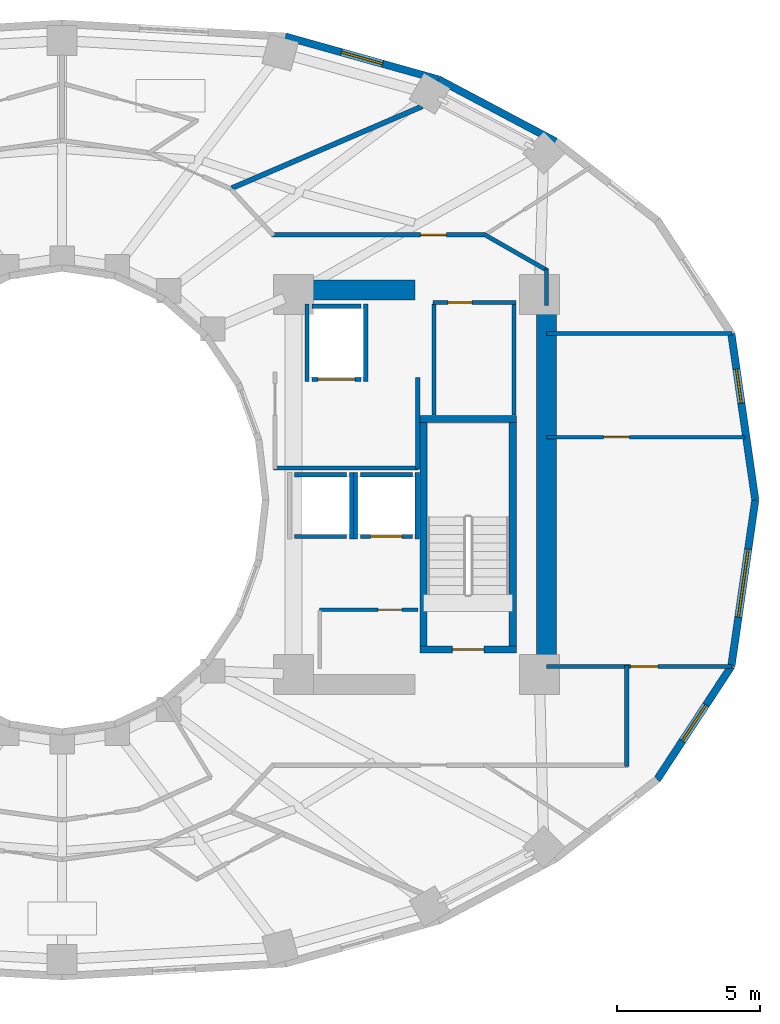
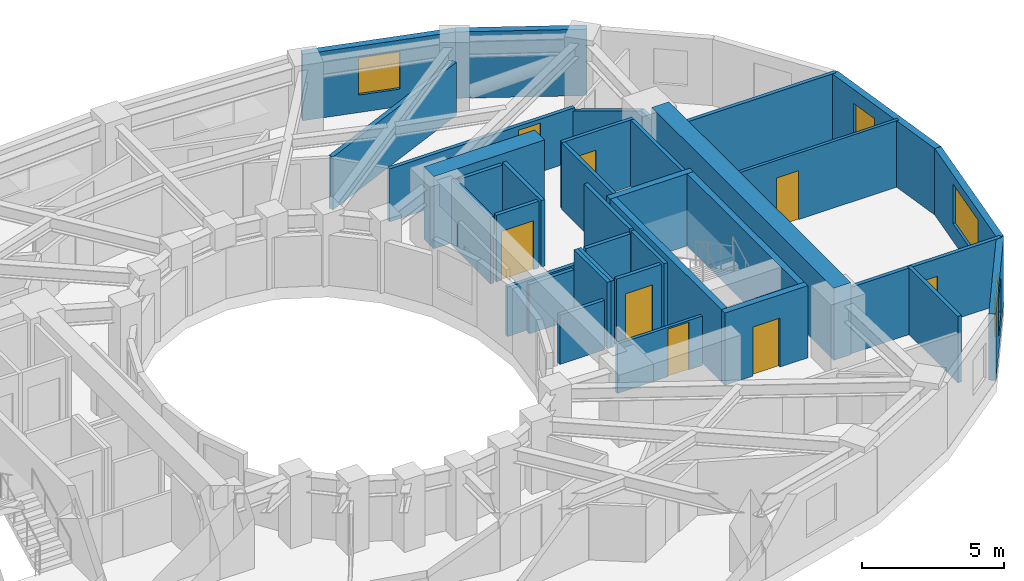
# One storey, part 6 of 9: 36 walls, 8 doors, 4 windows, 12 openings.
"""IFC4 building model written with IfcOpenShell, lengths in metres."""

from ifc_helpers import new_model, si_unit, direction, frame, frame_2d, origin, place, context, subcontext, project, spatial, rectangle, extrude, material, layer, layer_set, type_object, element, fill, save


model = new_model("IFC4")

# Units and contexts
model_context = context("Model", 3, precision=1e-05, world=origin(), true_north=direction((0.0, 1.0)))
body_context = subcontext(model_context, "Body", "Model", "MODEL_VIEW")
ifc_project = project(units=[si_unit("LENGTHUNIT", "METRE"), si_unit("AREAUNIT", "SQUARE_METRE"), si_unit("VOLUMEUNIT", "CUBIC_METRE"), si_unit("PLANEANGLEUNIT", "RADIAN"), si_unit("MASSUNIT", "GRAM", prefix="KILO")], contexts=[model_context])

# Site, building, storey
site_placement = place(None, origin())
site = spatial("IfcSite", under=ifc_project, at=site_placement, CompositionType="ELEMENT")
building_placement = place(site_placement, origin())
building = spatial("IfcBuilding", under=site, at=building_placement, Name="Solvane Sanctuary Tower", CompositionType="ELEMENT")
storey_placement = place(building_placement, frame((0.0, 0.0, 122.800048828125)))
storey = spatial("IfcBuildingStorey", under=building, at=storey_placement, Name="L37", CompositionType="ELEMENT", Elevation=122.800048828125)

# Walls
ifc_material_1 = material(Name="Concrete C60/75", Category="concrete")
ifc_layer_1 = layer(ifc_material_1, 0.699951171875, Name="Concrete C60/75")
ifc_layer_set_1 = layer_set([ifc_layer_1], Name="Concrete C60/75")
wall_type_1 = type_object("IfcWallType", Name="Wall W-CORE-700", PredefinedType="SHEAR", material=ifc_layer_set_1)
wall_1_placement = place(storey_placement, frame((48.949951171875, 17.050048828125, 0.0), z_axis=(0.0, 0.0, 1.0), x_axis=(0.0, 1.0, 0.0)))
element("IfcWall", 1, at=wall_1_placement, inside=storey, type_object=wall_type_1, Name="L37 Core Shear Wall EC-E", PredefinedType="SHEAR", context=body_context, shape_type="SweptSolid", body=[
    extrude(rectangle(XDim=12.800048828125, YDim=0.699951171875, at=frame_2d((6.39990234375, 0.0))), origin(), (0.0, 0.0, 1.0), 3.099853515625),
])
wall_2_placement = place(storey_placement, frame((39.85009765625, 30.35009765625, 0.0), z_axis=(0.0, 0.0, 1.0), x_axis=(1.0, 0.0, 0.0)))
element("IfcWall", 2, at=wall_2_placement, inside=storey, type_object=wall_type_1, Name="L37 Core Shear Wall EC-N", PredefinedType="SHEAR", context=body_context, shape_type="SweptSolid", body=[
    extrude(rectangle(XDim=4.5, YDim=0.699951171875, at=frame_2d((2.25, 0.0))), origin(), (0.0, 0.0, 1.0), 3.099853515625),
])
ifc_material_2 = material(Name="Acoustic Gypsum Partition Board")
ifc_layer_2 = layer(ifc_material_2, 0.14990234375, Name="Acoustic Gypsum Partition Board")
ifc_layer_set_2 = layer_set([ifc_layer_2], Name="Acoustic Gypsum Partition Board")
wall_type_2 = type_object("IfcWallType", Name="Wall W-CORR-150", PredefinedType="PARTITIONING", material=ifc_layer_set_2)
wall_3_placement = place(storey_placement, frame((39.39990234375, 24.1201171875, 0.0), z_axis=(0.0, 0.0, 1.0), x_axis=(1.0, 0.0, 0.0)))
element("IfcWall", 3, at=wall_3_placement, inside=storey, type_object=wall_type_2, Name="L37 East Firefighting Lobby South Wall", PredefinedType="PARTITIONING", context=body_context, shape_type="SweptSolid", body=[
    extrude(rectangle(XDim=5.080078125, YDim=0.14990234375, at=frame_2d((2.5400390625, 0.0))), origin(), (0.0, 0.0, 1.0), 2.119873046875),
])
wall_4_placement = place(storey_placement, frame((44.449951171875, 24.080078125, 0.0), z_axis=(0.0, 0.0, 1.0), x_axis=(0.0, 1.0, 0.0)))
element("IfcWall", 4, at=wall_4_placement, inside=storey, type_object=wall_type_2, Name="L37 East Firefighting Lobby East Wall", PredefinedType="PARTITIONING", context=body_context, shape_type="SweptSolid", body=[
    extrude(rectangle(XDim=3.199951171875, YDim=0.14990234375, at=frame_2d((1.60009765625, 0.0))), origin(), (0.0, 0.0, 1.0), 2.85498046875),
])

# Wall, opening, door
wall_5_placement = place(storey_placement, frame((48.949951171875, 17.1748046875, 0.0), z_axis=(0.0, 0.0, 1.0), x_axis=(1.0, 0.0, 0.0)))
wall_5 = element("IfcWall", 5, at=wall_5_placement, inside=storey, type_object=wall_type_2, Name="L37 East Shoulder South Wall", PredefinedType="PARTITIONING", context=body_context, shape_type="SweptSolid", body=[
    extrude(rectangle(XDim=6.49169921875, YDim=0.14990234375, at=frame_2d((3.245849609375, 0.0))), origin(), (0.0, 0.0, 1.0), 2.85498046875),
])
opening_1_placement = place(wall_5_placement, frame((2.947509765625, 0.0, 0.0)))
opening_1 = element("IfcOpeningElement", 6, at=opening_1_placement, cuts=wall_5, Name="Opening D-L37-10", PredefinedType="OPENING", context=body_context, shape_type="SweptSolid", body=[
    extrude(rectangle(XDim=0.949951171875, YDim=2.10009765625, at=frame_2d((0.47509765625, 1.050048828125))), frame((0.0, 0.0849609375, 0.0), z_axis=(0.0, -1.0, 0.0), x_axis=(1.0, 0.0, 0.0)), (0.0, 0.0, 1.0), 0.169921875),
])
ifc_material_3 = material(Name="Engineered Tropical Hardwood", Category="wood")
door_type_1 = type_object("IfcDoorType", Name="Door D-ROOM-950", OperationType="NOTDEFINED", PredefinedType="DOOR", material=ifc_material_3)
door_1_placement = place(opening_1_placement, origin())
door_1 = element("IfcDoor", 7, at=door_1_placement, inside=storey, type_object=door_type_1, Name="L37 East Shoulder South Door", OperationType="SINGLE_SWING_LEFT", OverallHeight=2.10009765625, OverallWidth=0.949951171875, PredefinedType="DOOR", context=body_context, shape_type="SweptSolid", body=[
    extrude(rectangle(XDim=0.949951171875, YDim=2.10009765625, at=frame_2d((0.47509765625, 1.050048828125))), frame((0.0, 0.02490234375, 0.0), z_axis=(0.0, -1.0, 0.0), x_axis=(1.0, 0.0, 0.0)), (0.0, 0.0, 1.0), 0.050048828125),
])
fill(opening_1, door_1)

# Walls
wall_6_placement = place(storey_placement, frame((48.949951171875, 28.8251953125, 0.0), z_axis=(0.0, 0.0, 1.0), x_axis=(1.0, 0.0, 0.0)))
element("IfcWall", 8, at=wall_6_placement, inside=storey, type_object=wall_type_2, Name="L37 East Shoulder North Wall", PredefinedType="PARTITIONING", context=body_context, shape_type="SweptSolid", body=[
    extrude(rectangle(XDim=6.49169921875, YDim=0.14990234375, at=frame_2d((3.245849609375, 0.0))), origin(), (0.0, 0.0, 1.0), 2.85498046875),
])
wall_7_placement = place(storey_placement, frame((48.949951171875, 29.800048828125, 0.0), z_axis=(0.0, 0.0, 1.0), x_axis=(0.0, 1.0, 0.0)))
element("IfcWall", 9, at=wall_7_placement, inside=storey, type_object=wall_type_2, Name="L37 NE Corner Closer 1", PredefinedType="PARTITIONING", context=body_context, shape_type="SweptSolid", body=[
    extrude(rectangle(XDim=1.2900390625, YDim=0.14990234375, at=frame_2d((0.64501953125, 0.0))), origin(), (0.0, 0.0, 1.0), 2.141845703125),
])

# Wall, opening, door
wall_8_placement = place(storey_placement, frame((39.330078125, 32.280029296875, 0.0), z_axis=(0.0, 0.0, 1.0), x_axis=(1.0, 0.0, 0.0)))
wall_8 = element("IfcWall", 10, at=wall_8_placement, inside=storey, type_object=wall_type_2, Name="L37 NE Corner Corridor Wall", PredefinedType="PARTITIONING", context=body_context, shape_type="SweptSolid", body=[
    extrude(rectangle(XDim=7.52001953125, YDim=0.14990234375, at=frame_2d((3.760009765625, 0.0))), origin(), (0.0, 0.0, 1.0), 2.27197265625),
])
opening_2_placement = place(wall_8_placement, frame((5.219970703125, 0.0, 0.0)))
opening_2 = element("IfcOpeningElement", 11, at=opening_2_placement, cuts=wall_8, Name="Opening D-L37-14", PredefinedType="OPENING", context=body_context, shape_type="SweptSolid", body=[
    extrude(rectangle(XDim=0.89990234375, YDim=2.10009765625, at=frame_2d((0.449951171875, 1.050048828125))), frame((0.0, 0.0849609375, 0.0), z_axis=(0.0, -1.0, 0.0), x_axis=(1.0, 0.0, 0.0)), (0.0, 0.0, 1.0), 0.169921875),
])
door_type_2 = type_object("IfcDoorType", Name="Door D-WET-900", OperationType="NOTDEFINED", PredefinedType="DOOR", material=ifc_material_3)
door_2_placement = place(opening_2_placement, origin())
door_2 = element("IfcDoor", 12, at=door_2_placement, inside=storey, type_object=door_type_2, Name="L37 NE Corner Salon Door", OperationType="SINGLE_SWING_LEFT", OverallHeight=2.10009765625, OverallWidth=0.89990234375, PredefinedType="DOOR", context=body_context, shape_type="SweptSolid", body=[
    extrude(rectangle(XDim=0.89990234375, YDim=2.10009765625, at=frame_2d((0.449951171875, 1.050048828125))), frame((0.0, 0.02490234375, 0.0), z_axis=(0.0, -1.0, 0.0), x_axis=(1.0, 0.0, 0.0)), (0.0, 0.0, 1.0), 0.050048828125),
])
fill(opening_2, door_2)

# Walls
wall_9_placement = place(storey_placement, frame((46.756591796875, 32.3046875, 0.0), z_axis=(0.0, 0.0, 1.0), x_axis=(0.867991349648, -0.496579315857, 0.0)))
element("IfcWall", 13, at=wall_9_placement, inside=storey, type_object=wall_type_2, Name="L37 NE Corner Wing Wall", PredefinedType="PARTITIONING", context=body_context, shape_type="SweptSolid", body=[
    extrude(rectangle(XDim=2.56689453125, YDim=0.14990234375, at=frame_2d((1.283447265625, 0.0))), origin(), (0.0, 0.0, 1.0), 2.141845703125),
])
wall_10_placement = place(storey_placement, frame((51.760009765625, 13.679931640625, 0.0), z_axis=(0.0, 0.0, 1.0), x_axis=(0.0, 1.0, 0.0)))
element("IfcWall", 14, at=wall_10_placement, inside=storey, type_object=wall_type_2, Name="L37 SE Corner Closer 1", PredefinedType="PARTITIONING", context=body_context, shape_type="SweptSolid", body=[
    extrude(rectangle(XDim=3.534912109375, YDim=0.14990234375, at=frame_2d((1.767578125, 0.0))), origin(), (0.0, 0.0, 1.0), 2.85498046875),
])

# Wall, opening, window
ifc_material_4 = material(Name="Precast concrete C40/50", Category="concrete")
ifc_layer_3 = layer(ifc_material_4, 0.260009765625, Name="Precast concrete C40/50")
ifc_layer_set_3 = layer_set([ifc_layer_3], Name="Precast concrete C40/50")
wall_type_3 = type_object("IfcWallType", Name="Wall W-EXT-250", PredefinedType="STANDARD", material=ifc_layer_set_3)
wall_11_placement = place(storey_placement, frame((56.260009765625, 23.0, 0.0), z_axis=(0.0, 0.0, 1.0), x_axis=(-0.142572472068, 0.98978436551, 0.0)))
wall_11 = element("IfcWall", 15, at=wall_11_placement, inside=storey, type_object=wall_type_3, Name="L37 Ceramic-Printed Facade Wall 00", PredefinedType="STANDARD", context=body_context, shape_type="SweptSolid", body=[
    extrude(rectangle(XDim=5.878662109375, YDim=0.260009765625, at=frame_2d((2.939453125, 0.0))), origin(), (0.0, 0.0, 1.0), 2.849853515625),
])
opening_3_placement = place(wall_11_placement, frame((3.42578125, 0.0, 0.75)))
opening_3 = element("IfcOpeningElement", 16, at=opening_3_placement, cuts=wall_11, Name="Opening WN-OPER-1200", PredefinedType="OPENING", context=body_context, shape_type="SweptSolid", body=[
    extrude(rectangle(XDim=1.199951171875, YDim=1.5, at=frame_2d((0.60009765625, 0.75))), frame((0.0, 0.139892578125, 0.0), z_axis=(0.0, -1.0, 0.0), x_axis=(1.0, 0.0, 0.0)), (0.0, 0.0, 1.0), 0.280029296875),
])
ifc_material_5 = material(Name="Dark Ceramic-Fritted Low-E Glass", Category="glass")
window_type_1 = type_object("IfcWindowType", Name="Window WN-OPER-1200", PartitioningType="SINGLE_PANEL", PredefinedType="WINDOW", material=ifc_material_5)
window_1_placement = place(opening_3_placement, origin())
window_1 = element("IfcWindow", 17, at=window_1_placement, inside=storey, type_object=window_type_1, Name="L37 Operable Facade Window 00", OverallHeight=1.5, OverallWidth=1.199951171875, PartitioningType="SINGLE_PANEL", PredefinedType="WINDOW", context=body_context, shape_type="SweptSolid", body=[
    extrude(rectangle(XDim=1.199951171875, YDim=1.5, at=frame_2d((0.60009765625, 0.75))), frame((0.0, 0.030029296875, 0.0), z_axis=(0.0, -1.0, 0.0), x_axis=(1.0, 0.0, 0.0)), (0.0, 0.0, 1.0), 0.06005859375),
])
fill(opening_3, window_1)

# Wall
wall_12_placement = place(storey_placement, frame((49.265869140625, 35.55322265625, 0.0), z_axis=(0.0, 0.0, 1.0), x_axis=(-0.883668636807, 0.4681129568, 0.0)))
element("IfcWall", 18, at=wall_12_placement, inside=storey, type_object=wall_type_3, Name="L37 Ceramic-Printed Facade Wall 03", PredefinedType="STANDARD", context=body_context, shape_type="SweptSolid", body=[
    extrude(rectangle(XDim=4.63134765625, YDim=0.260009765625, at=frame_2d((2.315673828125, 0.0))), origin(), (0.0, 0.0, 1.0), 2.849853515625),
])

# Wall, opening, window
wall_13_placement = place(storey_placement, frame((45.17333984375, 37.72119140625, 0.0), z_axis=(0.0, 0.0, 1.0), x_axis=(-0.962938491413, 0.269721081407, 0.0)))
wall_13 = element("IfcWall", 19, at=wall_13_placement, inside=storey, type_object=wall_type_3, Name="L37 Ceramic-Printed Facade Wall 04", PredefinedType="STANDARD", context=body_context, shape_type="SweptSolid", body=[
    extrude(rectangle(XDim=5.563232421875, YDim=0.260009765625, at=frame_2d((2.78173828125, 0.0))), origin(), (0.0, 0.0, 1.0), 2.849853515625),
])
opening_4_placement = place(wall_13_placement, frame((2.031494140625, 0.0, 0.75)))
opening_4 = element("IfcOpeningElement", 20, at=opening_4_placement, cuts=wall_13, Name="Opening WN-OPER-1500", PredefinedType="OPENING", context=body_context, shape_type="SweptSolid", body=[
    extrude(rectangle(XDim=1.5, YDim=1.60009765625, at=frame_2d((0.75, 0.800048828125))), frame((0.0, 0.139892578125, 0.0), z_axis=(0.0, -1.0, 0.0), x_axis=(1.0, 0.0, 0.0)), (0.0, 0.0, 1.0), 0.280029296875),
])
window_type_2 = type_object("IfcWindowType", Name="Window WN-OPER-1500", PartitioningType="SINGLE_PANEL", PredefinedType="WINDOW", material=ifc_material_5)
window_2_placement = place(opening_4_placement, origin())
window_2 = element("IfcWindow", 21, at=window_2_placement, inside=storey, type_object=window_type_2, Name="L37 Operable Facade Window 04", OverallHeight=1.60009765625, OverallWidth=1.5, PartitioningType="SINGLE_PANEL", PredefinedType="WINDOW", context=body_context, shape_type="SweptSolid", body=[
    extrude(rectangle(XDim=1.5, YDim=1.60009765625, at=frame_2d((0.75, 0.800048828125))), frame((0.0, 0.030029296875, 0.0), z_axis=(0.0, -1.0, 0.0), x_axis=(1.0, 0.0, 0.0)), (0.0, 0.0, 1.0), 0.06005859375),
])
fill(opening_4, window_2)

wall_14_placement = place(storey_placement, frame((52.820556640625, 13.213623046875, 0.0), z_axis=(0.0, 0.0, 1.0), x_axis=(0.548283220945, 0.836292717672, 0.0)))
wall_14 = element("IfcWall", 22, at=wall_14_placement, inside=storey, type_object=wall_type_3, Name="L37 Ceramic-Printed Facade Wall 22", PredefinedType="STANDARD", context=body_context, shape_type="SweptSolid", body=[
    extrude(rectangle(XDim=4.744384765625, YDim=0.260009765625, at=frame_2d((2.3720703125, 0.0))), origin(), (0.0, 0.0, 1.0), 2.849853515625),
])
opening_5_placement = place(wall_14_placement, frame((1.622314453125, 0.0, 0.75)))
opening_5 = element("IfcOpeningElement", 23, at=opening_5_placement, cuts=wall_14, Name="Opening WN-OPER-1500", PredefinedType="OPENING", context=body_context, shape_type="SweptSolid", body=[
    extrude(rectangle(XDim=1.5, YDim=1.60009765625, at=frame_2d((0.75, 0.800048828125))), frame((0.0, 0.139892578125, 0.0), z_axis=(0.0, -1.0, 0.0), x_axis=(1.0, 0.0, 0.0)), (0.0, 0.0, 1.0), 0.280029296875),
])
window_3_placement = place(opening_5_placement, origin())
window_3 = element("IfcWindow", 24, at=window_3_placement, inside=storey, type_object=window_type_2, Name="L37 Operable Facade Window 22", OverallHeight=1.60009765625, OverallWidth=1.5, PartitioningType="SINGLE_PANEL", PredefinedType="WINDOW", context=body_context, shape_type="SweptSolid", body=[
    extrude(rectangle(XDim=1.5, YDim=1.60009765625, at=frame_2d((0.75, 0.800048828125))), frame((0.0, 0.030029296875, 0.0), z_axis=(0.0, -1.0, 0.0), x_axis=(1.0, 0.0, 0.0)), (0.0, 0.0, 1.0), 0.06005859375),
])
fill(opening_5, window_3)

wall_15_placement = place(storey_placement, frame((55.421875, 17.181396484375, 0.0), z_axis=(0.0, 0.0, 1.0), x_axis=(0.142572472068, 0.98978436551, 0.0)))
wall_15 = element("IfcWall", 25, at=wall_15_placement, inside=storey, type_object=wall_type_3, Name="L37 Ceramic-Printed Facade Wall 23", PredefinedType="STANDARD", context=body_context, shape_type="SweptSolid", body=[
    extrude(rectangle(XDim=5.878662109375, YDim=0.260009765625, at=frame_2d((2.939453125, 0.0))), origin(), (0.0, 0.0, 1.0), 2.849853515625),
])
opening_6_placement = place(wall_15_placement, frame((1.739501953125, 0.0, 0.75)))
opening_6 = element("IfcOpeningElement", 26, at=opening_6_placement, cuts=wall_15, Name="Opening WN-RIB-2400", PredefinedType="OPENING", context=body_context, shape_type="SweptSolid", body=[
    extrude(rectangle(XDim=2.39990234375, YDim=1.699951171875, at=frame_2d((1.199951171875, 0.85009765625))), frame((0.0, 0.139892578125, 0.0), z_axis=(0.0, -1.0, 0.0), x_axis=(1.0, 0.0, 0.0)), (0.0, 0.0, 1.0), 0.280029296875),
])
window_type_3 = type_object("IfcWindowType", Name="Window WN-RIB-2400", PartitioningType="SINGLE_PANEL", PredefinedType="WINDOW", material=ifc_material_5)
window_4_placement = place(opening_6_placement, origin())
window_4 = element("IfcWindow", 27, at=window_4_placement, inside=storey, type_object=window_type_3, Name="L37 Operable Facade Window 23", OverallHeight=1.699951171875, OverallWidth=2.39990234375, PartitioningType="SINGLE_PANEL", PredefinedType="WINDOW", context=body_context, shape_type="SweptSolid", body=[
    extrude(rectangle(XDim=2.39990234375, YDim=1.699951171875, at=frame_2d((1.199951171875, 0.85009765625))), frame((0.0, 0.030029296875, 0.0), z_axis=(0.0, -1.0, 0.0), x_axis=(1.0, 0.0, 0.0)), (0.0, 0.0, 1.0), 0.06005859375),
])
fill(opening_6, window_4)

# Wall, opening, door
ifc_layer_4 = layer(ifc_material_2, 0.1201171875, Name="Acoustic Gypsum Partition Board")
ifc_layer_set_4 = layer_set([ifc_layer_4], Name="Acoustic Gypsum Partition Board")
wall_type_4 = type_object("IfcWallType", Name="Wall W-MOV-100", PredefinedType="MOVABLE", material=ifc_layer_set_4)
wall_16_placement = place(storey_placement, frame((48.949951171875, 25.199951171875, 0.0), z_axis=(0.0, 0.0, 1.0), x_axis=(1.0, 0.0, 0.0)))
wall_16 = element("IfcWall", 28, at=wall_16_placement, inside=storey, type_object=wall_type_4, Name="L37 East Suite Partition", PredefinedType="MOVABLE", context=body_context, shape_type="SweptSolid", body=[
    extrude(rectangle(XDim=6.953369140625, YDim=0.1201171875, at=frame_2d((3.4765625, 0.0))), origin(), (0.0, 0.0, 1.0), 2.85498046875),
])
opening_7_placement = place(wall_16_placement, frame((2.0, 0.0, 0.0)))
opening_7 = element("IfcOpeningElement", 29, at=opening_7_placement, cuts=wall_16, Name="Opening D-L37-11", PredefinedType="OPENING", context=body_context, shape_type="SweptSolid", body=[
    extrude(rectangle(XDim=0.89990234375, YDim=2.10009765625, at=frame_2d((0.449951171875, 1.050048828125))), frame((0.0, 0.070068359375, 0.0), z_axis=(0.0, -1.0, 0.0), x_axis=(1.0, 0.0, 0.0)), (0.0, 0.0, 1.0), 0.14013671875),
])
door_3_placement = place(opening_7_placement, origin())
door_3 = element("IfcDoor", 30, at=door_3_placement, inside=storey, type_object=door_type_2, Name="L37 East Suite Internal Door", OperationType="SINGLE_SWING_RIGHT", OverallHeight=2.10009765625, OverallWidth=0.89990234375, PredefinedType="DOOR", context=body_context, shape_type="SweptSolid", body=[
    extrude(rectangle(XDim=0.89990234375, YDim=2.10009765625, at=frame_2d((0.449951171875, 1.050048828125))), frame((0.0, 0.02490234375, 0.0), z_axis=(0.0, -1.0, 0.0), x_axis=(1.0, 0.0, 0.0)), (0.0, 0.0, 1.0), 0.050048828125),
])
fill(opening_7, door_3)

ifc_layer_5 = layer(ifc_material_2, 0.125, Name="Acoustic Gypsum Partition Board")
ifc_layer_set_5 = layer_set([ifc_layer_5], Name="Acoustic Gypsum Partition Board")
wall_type_5 = type_object("IfcWallType", Name="Wall W-PART-125", PredefinedType="PARTITIONING", material=ifc_layer_set_5)
wall_17_placement = place(storey_placement, frame((41.0, 19.159912109375, 0.0), z_axis=(0.0, 0.0, 1.0), x_axis=(1.0, 0.0, 0.0)))
wall_17 = element("IfcWall", 31, at=wall_17_placement, inside=storey, type_object=wall_type_5, Name="L37 Reclaimed Room Partition PLE", PredefinedType="PARTITIONING", context=body_context, shape_type="SweptSolid", body=[
    extrude(rectangle(XDim=3.449951171875, YDim=0.125, at=frame_2d((1.72509765625, 0.0))), origin(), (0.0, 0.0, 1.0), 2.119873046875),
])
opening_8_placement = place(wall_17_placement, frame((2.050048828125, 0.0, 0.0)))
opening_8 = element("IfcOpeningElement", 32, at=opening_8_placement, cuts=wall_17, Name="Opening D-L37-07", PredefinedType="OPENING", context=body_context, shape_type="SweptSolid", body=[
    extrude(rectangle(XDim=0.85009765625, YDim=2.050048828125, at=frame_2d((0.425048828125, 1.02490234375))), frame((0.0, 0.072509765625, 0.0), z_axis=(0.0, -1.0, 0.0), x_axis=(1.0, 0.0, 0.0)), (0.0, 0.0, 1.0), 0.14501953125),
])
ifc_material_6 = material(Name="Architectural Stainless Steel 316", Category="steel")
door_type_3 = type_object("IfcDoorType", Name="Door D-RISER", OperationType="NOTDEFINED", PredefinedType="DOOR", material=ifc_material_6)
door_4_placement = place(opening_8_placement, origin())
door_4 = element("IfcDoor", 33, at=door_4_placement, inside=storey, type_object=door_type_3, Name="L37 Reclaimed Room Door PLE-1", OperationType="SINGLE_SWING_RIGHT", OverallHeight=2.050048828125, OverallWidth=0.85009765625, PredefinedType="DOOR", context=body_context, shape_type="SweptSolid", body=[
    extrude(rectangle(XDim=0.85009765625, YDim=2.050048828125, at=frame_2d((0.425048828125, 1.02490234375))), frame((0.0, 0.02490234375, 0.0), z_axis=(0.0, -1.0, 0.0), x_axis=(1.0, 0.0, 0.0)), (0.0, 0.0, 1.0), 0.050048828125),
])
fill(opening_8, door_4)

ifc_material_7 = material(Name="Concrete C50/60", Category="concrete")
ifc_layer_6 = layer(ifc_material_7, 0.14990234375, Name="Concrete C50/60")
ifc_layer_set_6 = layer_set([ifc_layer_6], Name="Concrete C50/60")
wall_type_6 = type_object("IfcWallType", Name="Wall W-SHAFT-150", PredefinedType="SOLIDWALL", material=ifc_layer_set_6)
wall_18_placement = place(storey_placement, frame((42.43994140625, 21.719970703125, 0.0), z_axis=(0.0, 0.0, 1.0), x_axis=(1.0, 0.0, 0.0)))
wall_18 = element("IfcWall", 34, at=wall_18_placement, inside=storey, type_object=wall_type_6, Name="L37 PM-2 Lift Shaft Wall F", PredefinedType="SOLIDWALL", context=body_context, shape_type="SweptSolid", body=[
    extrude(rectangle(XDim=1.820068359375, YDim=0.14990234375, at=frame_2d((0.91015625, 0.0))), origin(), (0.0, 0.0, 1.0), 2.85498046875),
])
opening_9_placement = place(wall_18_placement, frame((0.360107421875, 0.0, 0.0)))
opening_9 = element("IfcOpeningElement", 35, at=opening_9_placement, cuts=wall_18, Name="Opening LD-L37-02", PredefinedType="OPENING", context=body_context, shape_type="SweptSolid", body=[
    extrude(rectangle(XDim=1.10009765625, YDim=2.10009765625, at=frame_2d((0.550048828125, 1.050048828125))), frame((0.0, 0.0849609375, 0.0), z_axis=(0.0, -1.0, 0.0), x_axis=(1.0, 0.0, 0.0)), (0.0, 0.0, 1.0), 0.169921875),
])
door_type_4 = type_object("IfcDoorType", Name="Door LD-PASS-1100", OperationType="NOTDEFINED", PredefinedType="DOOR", material=ifc_material_6)
door_5_placement = place(opening_9_placement, origin())
door_5 = element("IfcDoor", 36, at=door_5_placement, inside=storey, type_object=door_type_4, Name="L37 PM-2 Lift Landing Door", OperationType="DOUBLE_DOOR_SLIDING", OverallHeight=2.10009765625, OverallWidth=1.10009765625, PredefinedType="DOOR", context=body_context, shape_type="SweptSolid", body=[
    extrude(rectangle(XDim=1.10009765625, YDim=2.10009765625, at=frame_2d((0.550048828125, 1.050048828125))), frame((0.0, 0.02490234375, 0.0), z_axis=(0.0, -1.0, 0.0), x_axis=(1.0, 0.0, 0.0)), (0.0, 0.0, 1.0), 0.050048828125),
])
fill(opening_9, door_5)

# Walls
wall_19_placement = place(storey_placement, frame((42.43994140625, 23.8798828125, 0.0), z_axis=(0.0, 0.0, 1.0), x_axis=(1.0, 0.0, 0.0)))
element("IfcWall", 37, at=wall_19_placement, inside=storey, type_object=wall_type_6, Name="L37 PM-2 Lift Shaft Wall B", PredefinedType="SOLIDWALL", context=body_context, shape_type="SweptSolid", body=[
    extrude(rectangle(XDim=1.820068359375, YDim=0.14990234375, at=frame_2d((0.91015625, 0.0))), origin(), (0.0, 0.0, 1.0), 2.85498046875),
])
for number, where, z_axis, x_axis, name in (
    (38, (42.27001953125, 21.639892578125, 0.0), (0.0, 0.0, 1.0), (0.0, 1.0, 0.0), "L37 PM-2 Lift Shaft Wall S1"),
    (39, (44.429931640625, 21.639892578125, 0.0), (0.0, 0.0, 1.0), (0.0, 1.0, 0.0), "L37 PM-2 Lift Shaft Wall S2"),
):
    element("IfcWall", number, at=place(storey_placement, frame(where, z_axis=z_axis, x_axis=x_axis)), inside=storey, type_object=wall_type_6, Name=name, PredefinedType="SOLIDWALL", context=body_context, shape_type="SweptSolid", body=[
        extrude(rectangle(XDim=2.320068359375, YDim=0.14990234375, at=frame_2d((1.16015625, 0.0))), origin(), (0.0, 0.0, 1.0), 2.85498046875),
    ])
for number, where, z_axis, x_axis, name in (
    (40, (40.139892578125, 21.719970703125, 0.0), (0.0, 0.0, 1.0), (1.0, 0.0, 0.0), "L37 PH-2 Lift Shaft Wall F"),
    (41, (40.139892578125, 23.8798828125, 0.0), (0.0, 0.0, 1.0), (1.0, 0.0, 0.0), "L37 PH-2 Lift Shaft Wall B"),
):
    element("IfcWall", number, at=place(storey_placement, frame(where, z_axis=z_axis, x_axis=x_axis)), inside=storey, type_object=wall_type_6, Name=name, PredefinedType="SOLIDWALL", context=body_context, shape_type="SweptSolid", body=[
        extrude(rectangle(XDim=1.820068359375, YDim=0.14990234375, at=frame_2d((0.91015625, 0.0))), origin(), (0.0, 0.0, 1.0), 2.119873046875),
    ])
wall_20_placement = place(storey_placement, frame((42.1298828125, 21.639892578125, 0.0), z_axis=(0.0, 0.0, 1.0), x_axis=(0.0, 1.0, 0.0)))
element("IfcWall", 42, at=wall_20_placement, inside=storey, type_object=wall_type_6, Name="L37 PH-2 Lift Shaft Wall S2", PredefinedType="SOLIDWALL", context=body_context, shape_type="SweptSolid", body=[
    extrude(rectangle(XDim=2.320068359375, YDim=0.14990234375, at=frame_2d((1.16015625, 0.0))), origin(), (0.0, 0.0, 1.0), 2.85498046875),
])

# Wall, opening, door
wall_21_placement = place(storey_placement, frame((40.739990234375, 27.219970703125, 0.0), z_axis=(0.0, 0.0, 1.0), x_axis=(1.0, 0.0, 0.0)))
wall_21 = element("IfcWall", 43, at=wall_21_placement, inside=storey, type_object=wall_type_6, Name="L37 FFL-2 Lift Shaft Wall F", PredefinedType="SOLIDWALL", context=body_context, shape_type="SweptSolid", body=[
    extrude(rectangle(XDim=1.719970703125, YDim=0.14990234375, at=frame_2d((0.85986328125, 0.0))), origin(), (0.0, 0.0, 1.0), 2.85498046875),
])
opening_10_placement = place(wall_21_placement, frame((0.2099609375, 0.0, 0.0)))
opening_10 = element("IfcOpeningElement", 44, at=opening_10_placement, cuts=wall_21, Name="Opening LD-L37-05", PredefinedType="OPENING", context=body_context, shape_type="SweptSolid", body=[
    extrude(rectangle(XDim=1.300048828125, YDim=2.10009765625, at=frame_2d((0.64990234375, 1.050048828125))), frame((0.0, 0.0849609375, 0.0), z_axis=(0.0, -1.0, 0.0), x_axis=(1.0, 0.0, 0.0)), (0.0, 0.0, 1.0), 0.169921875),
])
door_type_5 = type_object("IfcDoorType", Name="Door LD-FFL-1300", OperationType="NOTDEFINED", PredefinedType="DOOR", material=ifc_material_6)
door_6_placement = place(opening_10_placement, origin())
door_6 = element("IfcDoor", 45, at=door_6_placement, inside=storey, type_object=door_type_5, Name="L37 FFL-2 Lift Landing Door", OperationType="DOUBLE_DOOR_SLIDING", OverallHeight=2.10009765625, OverallWidth=1.300048828125, PredefinedType="DOOR", context=body_context, shape_type="SweptSolid", body=[
    extrude(rectangle(XDim=1.300048828125, YDim=2.10009765625, at=frame_2d((0.64990234375, 1.050048828125))), frame((0.0, 0.02490234375, 0.0), z_axis=(0.0, -1.0, 0.0), x_axis=(1.0, 0.0, 0.0)), (0.0, 0.0, 1.0), 0.050048828125),
])
fill(opening_10, door_6)

# Walls
wall_22_placement = place(storey_placement, frame((40.739990234375, 29.780029296875, 0.0), z_axis=(0.0, 0.0, 1.0), x_axis=(1.0, 0.0, 0.0)))
element("IfcWall", 46, at=wall_22_placement, inside=storey, type_object=wall_type_6, Name="L37 FFL-2 Lift Shaft Wall B", PredefinedType="SOLIDWALL", context=body_context, shape_type="SweptSolid", body=[
    extrude(rectangle(XDim=1.719970703125, YDim=0.14990234375, at=frame_2d((0.85986328125, 0.0))), origin(), (0.0, 0.0, 1.0), 2.85498046875),
])
for number, where, z_axis, x_axis, name in (
    (47, (40.570068359375, 27.139892578125, 0.0), (0.0, 0.0, 1.0), (0.0, 1.0, 0.0), "L37 FFL-2 Lift Shaft Wall S1"),
    (48, (42.6298828125, 27.139892578125, 0.0), (0.0, 0.0, 1.0), (0.0, 1.0, 0.0), "L37 FFL-2 Lift Shaft Wall S2"),
):
    element("IfcWall", number, at=place(storey_placement, frame(where, z_axis=z_axis, x_axis=x_axis)), inside=storey, type_object=wall_type_6, Name=name, PredefinedType="SOLIDWALL", context=body_context, shape_type="SweptSolid", body=[
        extrude(rectangle(XDim=2.72021484375, YDim=0.14990234375, at=frame_2d((1.360107421875, 0.0))), origin(), (0.0, 0.0, 1.0), 2.85498046875),
    ])

# Wall, opening, door
ifc_layer_7 = layer(ifc_material_7, 0.25, Name="Concrete C50/60")
ifc_layer_set_7 = layer_set([ifc_layer_7], Name="Concrete C50/60")
wall_type_7 = type_object("IfcWallType", Name="Wall W-SHAFT-250", PredefinedType="SOLIDWALL", material=ifc_layer_set_7)
wall_23_placement = place(storey_placement, frame((44.52490234375, 17.77001953125, 0.0), z_axis=(0.0, 0.0, 1.0), x_axis=(1.0, 0.0, 0.0)))
wall_23 = element("IfcWall", 49, at=wall_23_placement, inside=storey, type_object=wall_type_7, Name="L37 ST-2 Load-Bearing Shaft Wall S", PredefinedType="SOLIDWALL", context=body_context, shape_type="SweptSolid", body=[
    extrude(rectangle(XDim=3.3701171875, YDim=0.25, at=frame_2d((1.68505859375, 0.0))), origin(), (0.0, 0.0, 1.0), 3.099853515625),
])
opening_11_placement = place(wall_23_placement, frame((1.135009765625, 0.0, 0.0)))
opening_11 = element("IfcOpeningElement", 50, at=opening_11_placement, cuts=wall_23, Name="Opening D-L37-02", PredefinedType="OPENING", context=body_context, shape_type="SweptSolid", body=[
    extrude(rectangle(XDim=1.10009765625, YDim=2.10009765625, at=frame_2d((0.550048828125, 1.050048828125))), frame((0.0, 0.135009765625, 0.0), z_axis=(0.0, -1.0, 0.0), x_axis=(1.0, 0.0, 0.0)), (0.0, 0.0, 1.0), 0.27001953125),
])
door_type_6 = type_object("IfcDoorType", Name="Door D-STAIR", OperationType="NOTDEFINED", PredefinedType="DOOR", material=ifc_material_6)
door_7_placement = place(opening_11_placement, origin())
door_7 = element("IfcDoor", 51, at=door_7_placement, inside=storey, type_object=door_type_6, Name="L37 ST-2 Exit Stair Fire Door", OperationType="SINGLE_SWING_RIGHT", OverallHeight=2.10009765625, OverallWidth=1.10009765625, PredefinedType="DOOR", context=body_context, shape_type="SweptSolid", body=[
    extrude(rectangle(XDim=1.10009765625, YDim=2.10009765625, at=frame_2d((0.550048828125, 1.050048828125))), frame((0.0, 0.02490234375, 0.0), z_axis=(0.0, -1.0, 0.0), x_axis=(1.0, 0.0, 0.0)), (0.0, 0.0, 1.0), 0.050048828125),
])
fill(opening_11, door_7)

# Walls
wall_24_placement = place(storey_placement, frame((44.52490234375, 25.830078125, 0.0), z_axis=(0.0, 0.0, 1.0), x_axis=(1.0, 0.0, 0.0)))
element("IfcWall", 52, at=wall_24_placement, inside=storey, type_object=wall_type_7, Name="L37 ST-2 Load-Bearing Shaft Wall N", PredefinedType="SOLIDWALL", context=body_context, shape_type="SweptSolid", body=[
    extrude(rectangle(XDim=3.3701171875, YDim=0.25, at=frame_2d((1.68505859375, 0.0))), origin(), (0.0, 0.0, 1.0), 3.099853515625),
])
for number, where, z_axis, x_axis, name in (
    (53, (44.64990234375, 17.89501953125, 0.0), (0.0, 0.0, 1.0), (0.0, 1.0, 0.0), "L37 ST-2 Load-Bearing Shaft Wall W"),
    (54, (47.77001953125, 17.89501953125, 0.0), (0.0, 0.0, 1.0), (0.0, 1.0, 0.0), "L37 ST-2 Load-Bearing Shaft Wall E"),
):
    element("IfcWall", number, at=place(storey_placement, frame(where, z_axis=z_axis, x_axis=x_axis)), inside=storey, type_object=wall_type_7, Name=name, PredefinedType="SOLIDWALL", context=body_context, shape_type="SweptSolid", body=[
        extrude(rectangle(XDim=7.81005859375, YDim=0.25, at=frame_2d((3.905029296875, 0.0))), origin(), (0.0, 0.0, 1.0), 3.099853515625),
    ])
ifc_layer_8 = layer(ifc_material_2, 0.179931640625, Name="Acoustic Gypsum Partition Board")
ifc_layer_set_8 = layer_set([ifc_layer_8], Name="Acoustic Gypsum Partition Board")
wall_type_8 = type_object("IfcWallType", Name="Wall W-UNIT-180", PredefinedType="PARTITIONING", material=ifc_layer_set_8)
wall_25_placement = place(storey_placement, frame((37.94140625, 33.91796875, 0.0), z_axis=(0.0, 0.0, 1.0), x_axis=(0.918836579087, 0.394638240584, 0.0)))
element("IfcWall", 55, at=wall_25_placement, inside=storey, type_object=wall_type_8, Name="L37 Radial Compartment Wall 060", PredefinedType="PARTITIONING", context=body_context, shape_type="SweptSolid", body=[
    extrude(rectangle(XDim=7.2529296875, YDim=0.179931640625, at=frame_2d((3.62646484375, 0.0))), origin(), (0.0, 0.0, 1.0), 2.27197265625),
])

# Wall, opening, door
ifc_layer_9 = layer(ifc_material_2, 0.139892578125, Name="Acoustic Gypsum Partition Board")
ifc_layer_set_9 = layer_set([ifc_layer_9], Name="Acoustic Gypsum Partition Board")
wall_type_9 = type_object("IfcWallType", Name="Wall W-WET-140", PredefinedType="PLUMBINGWALL", material=ifc_layer_set_9)
wall_26_placement = place(storey_placement, frame((44.97998046875, 29.919921875, 0.0), z_axis=(0.0, 0.0, 1.0), x_axis=(1.0, 0.0, 0.0)))
wall_26 = element("IfcWall", 56, at=wall_26_placement, inside=storey, type_object=wall_type_9, Name="L37 Core Service Front Wall KE0", PredefinedType="PLUMBINGWALL", context=body_context, shape_type="SweptSolid", body=[
    extrude(rectangle(XDim=2.89990234375, YDim=0.139892578125, at=frame_2d((1.449951171875, 0.0))), origin(), (0.0, 0.0, 1.0), 2.85498046875),
])
opening_12_placement = place(wall_26_placement, frame((0.515869140625, 0.0, 0.0)))
opening_12 = element("IfcOpeningElement", 57, at=opening_12_placement, cuts=wall_26, Name="Opening D-L37-09", PredefinedType="OPENING", context=body_context, shape_type="SweptSolid", body=[
    extrude(rectangle(XDim=0.85009765625, YDim=2.050048828125, at=frame_2d((0.425048828125, 1.02490234375))), frame((0.0, 0.079833984375, 0.0), z_axis=(0.0, -1.0, 0.0), x_axis=(1.0, 0.0, 0.0)), (0.0, 0.0, 1.0), 0.159912109375),
])
door_8_placement = place(opening_12_placement, origin())
door_8 = element("IfcDoor", 58, at=door_8_placement, inside=storey, type_object=door_type_3, Name="L37 Core Service Room Door KE0-1", OperationType="SINGLE_SWING_RIGHT", OverallHeight=2.050048828125, OverallWidth=0.85009765625, PredefinedType="DOOR", context=body_context, shape_type="SweptSolid", body=[
    extrude(rectangle(XDim=0.85009765625, YDim=2.050048828125, at=frame_2d((0.425048828125, 1.02490234375))), frame((0.0, 0.02490234375, 0.0), z_axis=(0.0, -1.0, 0.0), x_axis=(1.0, 0.0, 0.0)), (0.0, 0.0, 1.0), 0.050048828125),
])
fill(opening_12, door_8)

# Walls
for number, where, z_axis, x_axis, name in (
    (59, (45.02001953125, 25.97998046875, 0.0), (0.0, 0.0, 1.0), (0.0, 1.0, 0.0), "L37 Core Service Side Wall KE0-1"),
    (60, (47.820068359375, 25.97998046875, 0.0), (0.0, 0.0, 1.0), (0.0, 1.0, 0.0), "L37 Core Service Side Wall KE0-2"),
):
    element("IfcWall", number, at=place(storey_placement, frame(where, z_axis=z_axis, x_axis=x_axis)), inside=storey, type_object=wall_type_9, Name=name, PredefinedType="PLUMBINGWALL", context=body_context, shape_type="SweptSolid", body=[
        extrude(rectangle(XDim=3.880126953125, YDim=0.139892578125, at=frame_2d((1.93994140625, 0.0))), origin(), (0.0, 0.0, 1.0), 2.85498046875),
    ])

save(model, "model.ifc")
